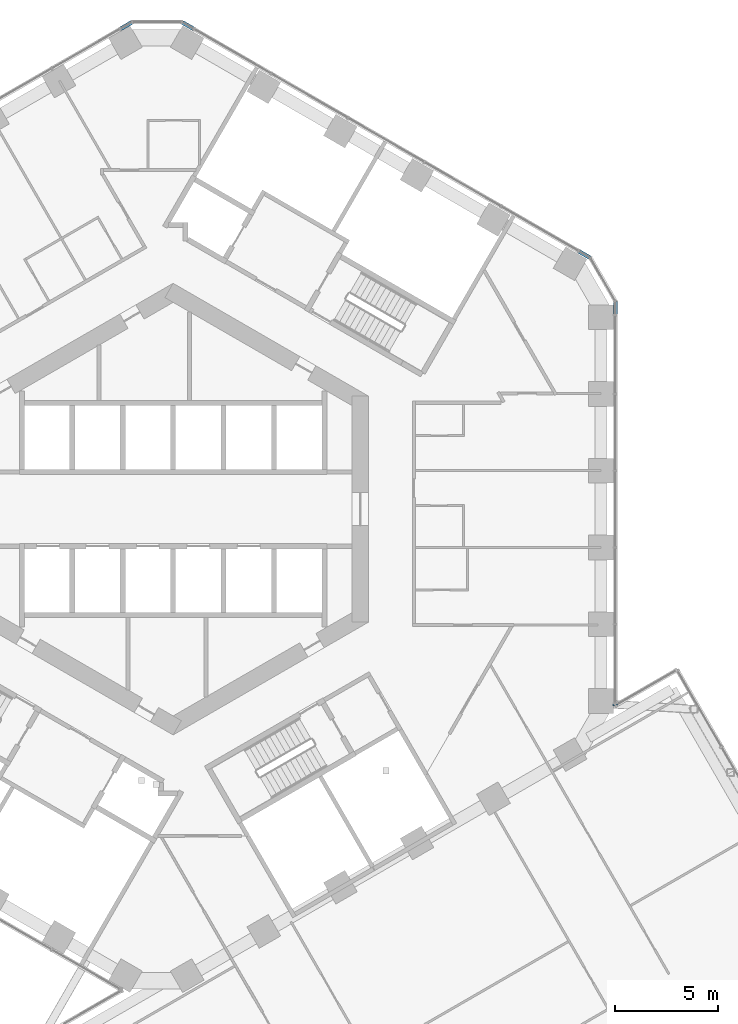
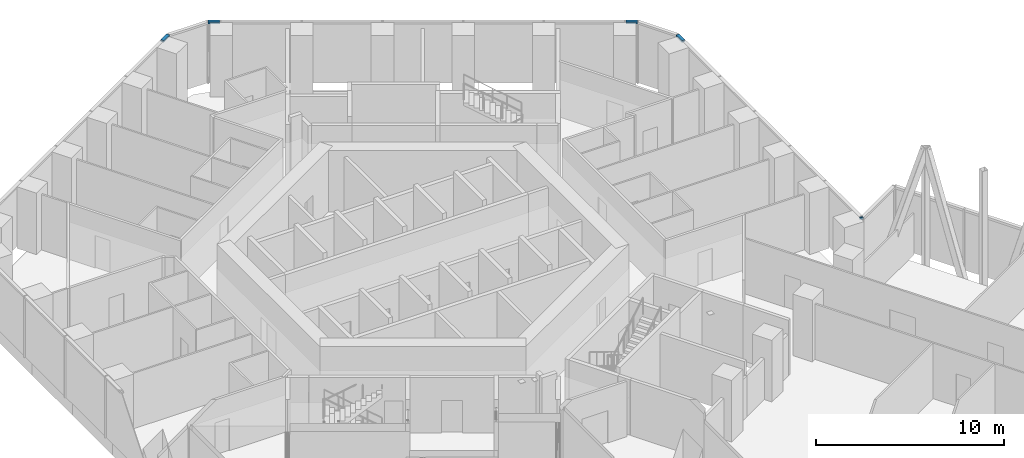
# One storey, part 11 of 27: 5 members, 3 elements without a shape of their own.
"""IFC4 building model written with IfcOpenShell, lengths in metres."""

import ifcopenshell
import ifcopenshell.guid

model = None  # the IFC model being written
_history = None  # IfcOwnerHistory: only IFC2X3 demands one
_inside = {}  # id of a spatial element -> (the spatial element, [elements in it])
_under = {}  # id of a project, library or spatial element -> (it, [spatial elements below it])
_declared = {}  # id of a project -> (the project, [libraries it declares])
_typed = {}  # id of a type object -> (the type object, [elements of that type])
_made_of = {}  # id of a material, layer set ... -> (it, [elements and type objects made of it])


def new_model(schema):
    """Start an empty IFC model of exactly this schema.

    Asked for "IFC4X3", IfcOpenShell would pick the latest addendum, in which some entities
    have other attributes; the version numbers below select the first issue.
    IFC2X3 requires an IfcOwnerHistory on every rooted entity: one is made here for all.
    """
    global model, _history
    if schema == "IFC4X3":
        model = ifcopenshell.file(schema_version=(4, 3, 0, 0))
    else:
        model = ifcopenshell.file(schema=schema)
    _inside.clear()
    _under.clear()
    _declared.clear()
    _typed.clear()
    _made_of.clear()
    _history = None
    if model.schema == "IFC2X3":
        org = make("IfcOrganization", Name="unknown")
        user = make(
            "IfcPersonAndOrganization",
            ThePerson=make("IfcPerson", FamilyName="unknown"),
            TheOrganization=org,
        )
        app = make(
            "IfcApplication",
            ApplicationDeveloper=org,
            Version="unknown",
            ApplicationFullName="unknown",
            ApplicationIdentifier="unknown",
        )
        _history = make(
            "IfcOwnerHistory",
            OwningUser=user,
            OwningApplication=app,
            ChangeAction="ADDED",
            CreationDate=0,
        )
    return model


def make(cls, **values):
    """One entity of the class cls with the attributes given. An attribute that is None is left unset."""
    return model.create_entity(
        cls, **{name: value for name, value in values.items() if value is not None}
    )


def rooted(cls, **values):
    """An entity with a GlobalId (a new one), such as an element, a storey or a relation."""
    return make(cls, GlobalId=ifcopenshell.guid.new(), OwnerHistory=_history, **values)


def si_unit(unit_type, name, prefix=None):
    """IfcSIUnit, for example si_unit("LENGTHUNIT", "METRE", prefix="MILLI")."""
    return make("IfcSIUnit", UnitType=unit_type, Prefix=prefix, Name=name)


def assignment(units):
    """IfcUnitAssignment: the units of a project."""
    return None if units is None else make("IfcUnitAssignment", Units=units)


def point(xyz):
    """IfcCartesianPoint."""
    return None if xyz is None else make("IfcCartesianPoint", Coordinates=xyz)


def direction(xyz):
    """IfcDirection."""
    return None if xyz is None else make("IfcDirection", DirectionRatios=xyz)


def frame(location, z_axis=None, x_axis=None):
    """IfcAxis2Placement3D, a coordinate frame: its origin and axes. An axis left out is left unset."""
    return make(
        "IfcAxis2Placement3D",
        Location=point(location),
        Axis=direction(z_axis),
        RefDirection=direction(x_axis),
    )


def frame_2d(location, x_axis=None):
    """IfcAxis2Placement2D, a coordinate frame in the plane: its origin and x axis."""
    return make(
        "IfcAxis2Placement2D", Location=point(location), RefDirection=direction(x_axis)
    )


def origin():
    """The frame at (0, 0, 0) with its axes left unset."""
    return frame((0.0, 0.0, 0.0))


def origin_2d():
    """The frame at (0, 0) in the plane with its x axis left unset."""
    return frame_2d((0.0, 0.0))


def place(relative_to, where):
    """IfcLocalPlacement: puts the frame where relative to a parent placement (None: the world)."""
    return make(
        "IfcLocalPlacement", PlacementRelTo=relative_to, RelativePlacement=where
    )


def context(
    kind, dimensions, precision=None, world=None, true_north=None, identifier=None
):
    """IfcGeometricRepresentationContext, for example the 3D "Model" context."""
    return make(
        "IfcGeometricRepresentationContext",
        ContextIdentifier=identifier,
        ContextType=kind,
        CoordinateSpaceDimension=dimensions,
        Precision=precision,
        WorldCoordinateSystem=world,
        TrueNorth=true_north,
    )


def subcontext(parent, identifier, kind, view, scale=None):
    """IfcGeometricRepresentationSubContext, for example "Body" below "Model"."""
    return make(
        "IfcGeometricRepresentationSubContext",
        ContextIdentifier=identifier,
        ContextType=kind,
        ParentContext=parent,
        TargetScale=scale,
        TargetView=view,
    )


def project(units=None, contexts=None):
    """IfcProject with its units and contexts."""
    return rooted(
        "IfcProject",
        Name="project",
        RepresentationContexts=contexts,
        UnitsInContext=assignment(units),
    )


def spatial(cls, under=None, at=None, **own):
    """A site, building, storey or space (cls), placed at a placement, below another one or the project."""
    s = rooted(cls, ObjectPlacement=at, **own)
    if under is not None:
        _under.setdefault(under.id(), (under, []))[1].append(s)
    return s


def profile(cls, at=None, kind="AREA", **sizes):
    """A parametric profile (cls). Its sizes go by their IFC names, for example OverallWidth=200.0."""
    return make(cls, ProfileType=kind, Position=at, **sizes)


def rectangle(**sizes):
    """IfcRectangleProfileDef."""
    return profile("IfcRectangleProfileDef", **sizes)


def extrude(swept, where, along, depth):
    """IfcExtrudedAreaSolid: the profile swept, set in the frame where, extruded along a direction by depth."""
    return make(
        "IfcExtrudedAreaSolid",
        SweptArea=swept,
        Position=where,
        ExtrudedDirection=direction(along),
        Depth=depth,
    )


def shape(context_of_items, identifier, shape_type, items):
    """IfcShapeRepresentation: the items that make up one representation, for example the "Body"."""
    return make(
        "IfcShapeRepresentation",
        ContextOfItems=context_of_items,
        RepresentationIdentifier=identifier,
        RepresentationType=shape_type,
        Items=items,
    )


def material(Name=None, Category=None):
    """IfcMaterial."""
    return make("IfcMaterial", Name=Name, Category=Category)


def layer(
    of_material, thickness, ventilated=None, Name=None, Category=None, Priority=None
):
    """IfcMaterialLayer: one layer of a wall or slab, of a material (None: an air gap)."""
    return make(
        "IfcMaterialLayer",
        Material=of_material,
        LayerThickness=thickness,
        IsVentilated=ventilated,
        Name=Name,
        Category=Category,
        Priority=Priority,
    )


def layer_set(layers, Name=None):
    """IfcMaterialLayerSet."""
    return make("IfcMaterialLayerSet", MaterialLayers=layers, LayerSetName=Name)


def material_profile(
    of_material, cross_section, Name=None, Category=None, Priority=None
):
    """IfcMaterialProfile: a cross section and its material."""
    return make(
        "IfcMaterialProfile",
        Name=Name,
        Material=of_material,
        Profile=cross_section,
        Priority=Priority,
        Category=Category,
    )


def profile_set(profiles, Name=None, composite=None):
    """IfcMaterialProfileSet."""
    return make(
        "IfcMaterialProfileSet",
        Name=Name,
        MaterialProfiles=profiles,
        CompositeProfile=composite,
    )


def made_of(thing, what):
    """Note that an element or type object is made of a material, layer set ...; save() writes the relation."""
    if what is not None:
        _made_of.setdefault(what.id(), (what, []))[1].append(thing)
    return thing


def type_object(cls, material=None, **own):
    """A type object (cls), such as IfcWallType, which elements share."""
    return made_of(rooted(cls, **own), material)


def element(
    cls,
    number,
    at=None,
    inside=None,
    cuts=None,
    type_object=None,
    material=None,
    context=None,
    identifier="Body",
    shape_type=None,
    held_by="IfcProductDefinitionShape",
    body=None,
    shapes=None,
    **own,
):
    """One element of the class cls, such as IfcWall. Its Tag is "e" and its number.

    at: its placement. inside: the storey or other place that contains it. cuts: it is an
    opening in that element (IfcRelVoidsElement). A single representation is given by context,
    identifier, shape_type and body (its items); several are given by shapes. held_by: the class
    of the entity that holds the representations. save() writes the other relations.
    """
    e = rooted(cls, Tag="e%d" % number, ObjectPlacement=at, **own)
    if body is not None:
        shapes = [shape(context, identifier, shape_type, body)]
    if shapes is not None:
        e.Representation = make(held_by, Representations=shapes)
    if inside is not None:
        _inside.setdefault(inside.id(), (inside, []))[1].append(e)
    if cuts is not None:
        rooted(
            "IfcRelVoidsElement", RelatingBuildingElement=cuts, RelatedOpeningElement=e
        )
    if type_object is not None:
        _typed.setdefault(type_object.id(), (type_object, []))[1].append(e)
    return made_of(e, material)


def aggregate(whole, parts):
    """IfcRelAggregates: a whole, such as a stair, and the parts it consists of."""
    return rooted("IfcRelAggregates", RelatingObject=whole, RelatedObjects=parts)


def save(model, path):
    """Write the relations noted so far, then the file.

    IfcRelAggregates (storeys below a building ...), IfcRelContainedInSpatialStructure (elements
    in a storey), IfcRelDefinesByType, IfcRelAssociatesMaterial and IfcRelDeclares: one each for
    every whole, place, type object, material and project.
    """
    for whole, parts in _under.values():
        aggregate(whole, parts)
    for where, things in _inside.values():
        rooted(
            "IfcRelContainedInSpatialStructure",
            RelatedElements=things,
            RelatingStructure=where,
        )
    for kind, things in _typed.values():
        rooted("IfcRelDefinesByType", RelatedObjects=things, RelatingType=kind)
    for what, things in _made_of.values():
        rooted("IfcRelAssociatesMaterial", RelatedObjects=things, RelatingMaterial=what)
    for by, libraries in _declared.values():
        rooted("IfcRelDeclares", RelatingContext=by, RelatedDefinitions=libraries)
    model.write(path)


model = new_model("IFC4")

# Units and contexts
model_context = context("Model", 3, precision=1e-05, world=origin(), true_north=direction((0.0, 1.0)))
body_context = subcontext(model_context, "Body", "Model", "MODEL_VIEW")
ifc_project = project(units=[si_unit("LENGTHUNIT", "METRE"), si_unit("AREAUNIT", "SQUARE_METRE"), si_unit("VOLUMEUNIT", "CUBIC_METRE"), si_unit("PLANEANGLEUNIT", "RADIAN"), si_unit("MASSUNIT", "GRAM", prefix="KILO")], contexts=[model_context])

# Site, building, storey
site_placement = place(None, origin())
site = spatial("IfcSite", under=ifc_project, at=site_placement, CompositionType="ELEMENT")
building_placement = place(site_placement, origin())
building = spatial("IfcBuilding", under=site, at=building_placement, Name="Ayvan Gate Tower", CompositionType="ELEMENT")
storey_placement = place(building_placement, frame((0.0, 0.0, 70.300048828125)))
storey = spatial("IfcBuildingStorey", under=building, at=storey_placement, Name="L18", CompositionType="ELEMENT", Elevation=70.300048828125)

# Curtain wall, member
ifc_material = material(Name="Bronze anodised aluminium", Category="aluminium")
ifc_layer = layer(ifc_material, 0.199951171875)
ifc_layer_set = layer_set([ifc_layer], Name="Bronze anodised aluminium")
curtain_wall_type = type_object("IfcCurtainWallType", Name="Stick curtain wall CW-6", PredefinedType="NOTDEFINED", material=ifc_layer_set)
curtain_wall_1_placement = place(storey_placement, origin())
curtain_wall_1 = element("IfcCurtainWall", 1, at=curtain_wall_1_placement, inside=storey, type_object=curtain_wall_type, Name="Stick curtain wall CW-6 L18", PredefinedType="NOTDEFINED")
ifc_material_profile = material_profile(ifc_material, rectangle(XDim=0.199951171875, YDim=0.1201171875, at=origin_2d()), Name="Stick curtain wall CW-6 transom 200 x 120")
ifc_profile_set = profile_set([ifc_material_profile], Name="Bronze anodised aluminium")
member_type = type_object("IfcMemberType", Name="Stick curtain wall CW-6 transom 200 x 120", PredefinedType="USERDEFINED", material=ifc_profile_set)
member_1_placement = place(storey_placement, frame((21.458984375, -9.552978515625, 3.93994140625), z_axis=(0.258121640407, 0.966112425525, 0.0), x_axis=(-0.966112425525, 0.258121640407, 0.0)))
member_1 = element("IfcMember", 2, at=member_1_placement, type_object=member_type, Name="CW-6 transom 1", ObjectType="TRANSOM", PredefinedType="USERDEFINED", context=body_context, shape_type="SweptSolid", body=[
    extrude(rectangle(XDim=0.199951171875, YDim=0.1201171875, at=origin_2d()), origin(), (0.0, 0.0, 1.0), 0.099365234375),
])
aggregate(curtain_wall_1, [member_1])

# Curtain wall, members
curtain_wall_2_placement = place(storey_placement, origin())
curtain_wall_2 = element("IfcCurtainWall", 3, at=curtain_wall_2_placement, inside=storey, type_object=curtain_wall_type, Name="Stick curtain wall CW-6 L18", PredefinedType="NOTDEFINED")
member_2_placement = place(storey_placement, frame((21.484619140625, 9.45703125, 3.93994140625), z_axis=(0.0, 1.0, 0.0), x_axis=(-1.0, 0.0, 0.0)))
member_2 = element("IfcMember", 4, at=member_2_placement, type_object=member_type, Name="CW-6 transom 1", ObjectType="TRANSOM", PredefinedType="USERDEFINED", context=body_context, shape_type="SweptSolid", body=[
    extrude(rectangle(XDim=0.199951171875, YDim=0.1201171875, at=origin_2d()), origin(), (0.0, 0.0, 1.0), 0.625),
])
member_3_placement = place(storey_placement, frame((20.255615234375, 12.210693359375, 3.93994140625), z_axis=(-0.866022959057, 0.500004234368, 0.0), x_axis=(-0.500004234368, -0.866022959057, 0.0)))
member_3 = element("IfcMember", 5, at=member_3_placement, type_object=member_type, Name="CW-6 transom 3", ObjectType="TRANSOM", PredefinedType="USERDEFINED", context=body_context, shape_type="SweptSolid", body=[
    extrude(rectangle(XDim=0.199951171875, YDim=0.1201171875, at=origin_2d()), origin(), (0.0, 0.0, 1.0), 0.625),
])
aggregate(curtain_wall_2, [member_2, member_3])

curtain_wall_3_placement = place(storey_placement, origin())
curtain_wall_3 = element("IfcCurtainWall", 6, at=curtain_wall_3_placement, inside=storey, type_object=curtain_wall_type, Name="Stick curtain wall CW-6 L18", PredefinedType="NOTDEFINED")
member_4_placement = place(storey_placement, frame((0.98828125, 23.334716796875, 3.93994140625), z_axis=(-0.866022959057, 0.500004234368, 0.0), x_axis=(-0.500004234368, -0.866022959057, 0.0)))
member_4 = element("IfcMember", 7, at=member_4_placement, type_object=member_type, Name="CW-6 transom 1", ObjectType="TRANSOM", PredefinedType="USERDEFINED", context=body_context, shape_type="SweptSolid", body=[
    extrude(rectangle(XDim=0.199951171875, YDim=0.1201171875, at=origin_2d()), origin(), (0.0, 0.0, 1.0), 0.625),
])
member_5_placement = place(storey_placement, frame((-2.010986328125, 23.647216796875, 3.93994140625), z_axis=(-0.866022959057, -0.500004234368, 0.0), x_axis=(0.500004234368, -0.866022959057, 0.0)))
member_5 = element("IfcMember", 8, at=member_5_placement, type_object=member_type, Name="CW-6 transom 3", ObjectType="TRANSOM", PredefinedType="USERDEFINED", context=body_context, shape_type="SweptSolid", body=[
    extrude(rectangle(XDim=0.199951171875, YDim=0.1201171875, at=origin_2d()), origin(), (0.0, 0.0, 1.0), 0.625),
])
aggregate(curtain_wall_3, [member_4, member_5])

save(model, "model.ifc")
